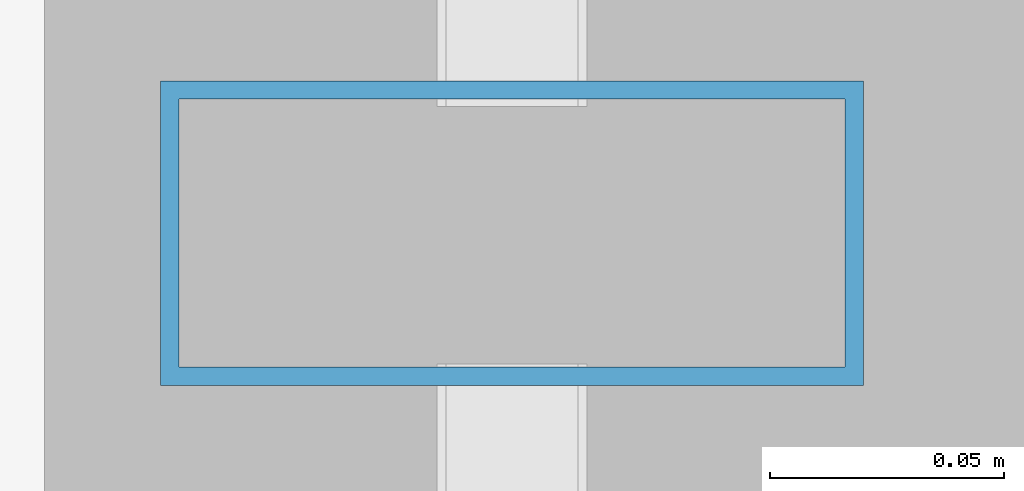
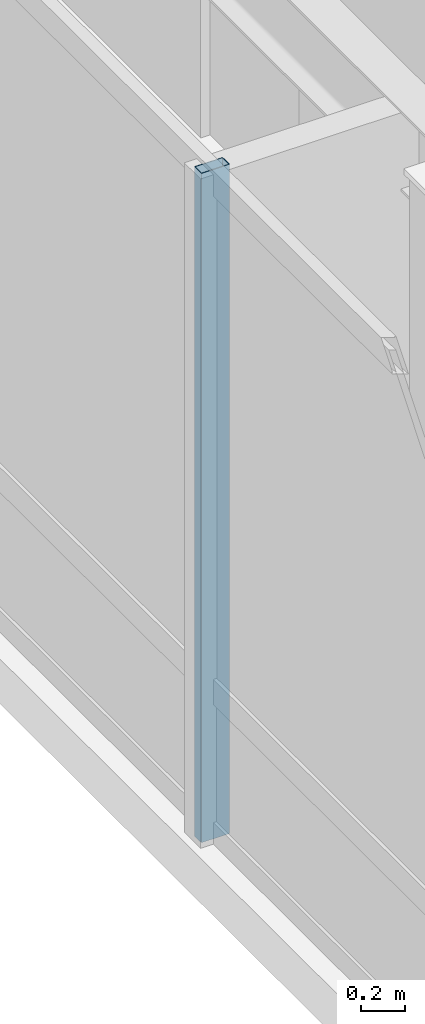
# One storey, part 14 of 31: 1 member, 1 element without a shape of its own.
"""IFC4 building model written with IfcOpenShell, lengths in metres."""

from ifc_helpers import new_model, si_unit, direction, frame, origin, origin_2d, place, context, subcontext, project, spatial, hollow_rectangle, extrude, material, layer, layer_set, material_profile, profile_set, type_object, element, aggregate, save


model = new_model("IFC4")

# Units and contexts
model_context = context("Model", 3, precision=1e-05, world=origin(), true_north=direction((0.0, 1.0)))
body_context = subcontext(model_context, "Body", "Model", "MODEL_VIEW")
ifc_project = project(units=[si_unit("LENGTHUNIT", "METRE"), si_unit("AREAUNIT", "SQUARE_METRE"), si_unit("VOLUMEUNIT", "CUBIC_METRE"), si_unit("PLANEANGLEUNIT", "RADIAN"), si_unit("MASSUNIT", "GRAM", prefix="KILO")], contexts=[model_context])

# Site, building, storey
site_placement = place(None, origin())
site = spatial("IfcSite", under=ifc_project, at=site_placement, CompositionType="ELEMENT")
building_placement = place(site_placement, origin())
building = spatial("IfcBuilding", under=site, at=building_placement, Name="Hatsunagi Terrace Concourse", CompositionType="ELEMENT")
storey_placement = place(building_placement, frame((0.0, 0.0, 269.949951171875)))
storey = spatial("IfcBuildingStorey", under=building, at=storey_placement, Name="L71", CompositionType="ELEMENT", Elevation=269.949951171875)

# Curtain wall, member
ifc_material_1 = material(Name="Anodised Aluminium Alloy 6063-T5", Category="aluminium")
ifc_layer = layer(ifc_material_1, 0.199951171875)
ifc_layer_set = layer_set([ifc_layer], Name="CrownWintergarden_CW06")
curtain_wall_type = type_object("IfcCurtainWallType", Name="CrownWintergarden_CW06", PredefinedType="NOTDEFINED", material=ifc_layer_set)
curtain_wall_placement = place(storey_placement, origin())
curtain_wall = element("IfcCurtainWall", 1, at=curtain_wall_placement, inside=storey, type_object=curtain_wall_type, Name="Unitised Curtain Wall CW-06 CW-L71-08", PredefinedType="NOTDEFINED")
ifc_material_2 = material(Name="Anodised Aluminium Alloy 6063-T5", Category="aluminium")
ifc_material_profile = material_profile(ifc_material_2, hollow_rectangle(XDim=0.06494140625, YDim=0.14990234375, WallThickness=0.00390625, at=origin_2d()), Name="ALU-MUL-150x65x4")
ifc_profile_set = profile_set([ifc_material_profile], Name="Anodised Aluminium Alloy 6063-T5")
member_type = type_object("IfcMemberType", Name="CurtainWallMullion_Crown_150x65", PredefinedType="MULLION", material=ifc_profile_set)
member_placement = place(storey_placement, frame((18.139892578125, 36.7939453125, 0.0), z_axis=(0.0, 0.0, 1.0), x_axis=(0.0, 1.0, 0.0)))
member = element("IfcMember", 2, at=member_placement, type_object=member_type, Name="Curtain Wall Mullion MUL-03", PredefinedType="MULLION", context=body_context, shape_type="SweptSolid", body=[
    extrude(hollow_rectangle(XDim=0.06494140625, YDim=0.14990234375, WallThickness=0.00390625, at=origin_2d()), origin(), (0.0, 0.0, 1.0), 3.739990234375),
])
aggregate(curtain_wall, [member])

save(model, "model.ifc")
